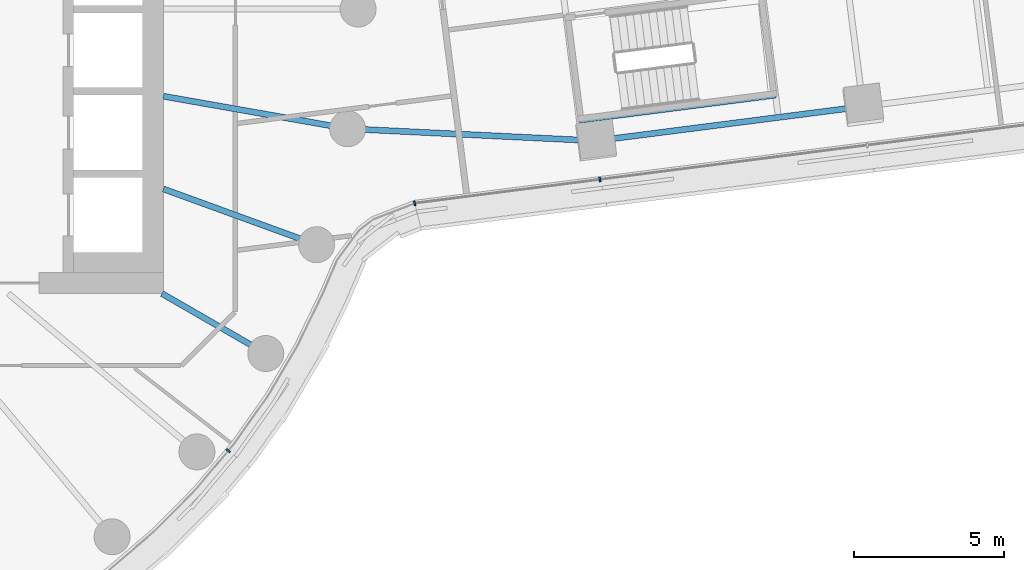
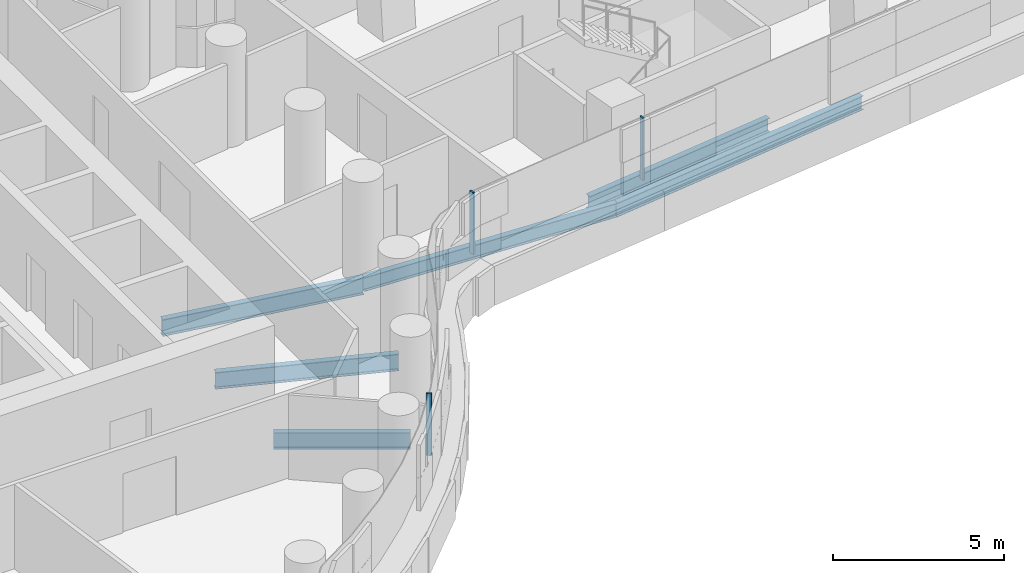
# One storey, part 9 of 31: 6 beams, 3 members, 2 elements without a shape of their own.
"""IFC4 building model written with IfcOpenShell, lengths in metres."""

from ifc_helpers import new_model, si_unit, direction, frame, origin, origin_2d, place, context, subcontext, project, spatial, rectangle, i_section, extrude, material, layer, layer_set, material_profile, profile_set, type_object, element, aggregate, save


model = new_model("IFC4")

# Units and contexts
model_context = context("Model", 3, precision=1e-05, world=origin(), true_north=direction((0.0, 1.0)))
body_context = subcontext(model_context, "Body", "Model", "MODEL_VIEW")
ifc_project = project(units=[si_unit("LENGTHUNIT", "METRE"), si_unit("AREAUNIT", "SQUARE_METRE"), si_unit("VOLUMEUNIT", "CUBIC_METRE"), si_unit("PLANEANGLEUNIT", "RADIAN"), si_unit("MASSUNIT", "GRAM", prefix="KILO")], contexts=[model_context])

# Site, building, storey
site_placement = place(None, origin())
site = spatial("IfcSite", under=ifc_project, at=site_placement, CompositionType="ELEMENT")
building_placement = place(site_placement, origin())
building = spatial("IfcBuilding", under=site, at=building_placement, Name="Tamarind Cross Interchange Tower", CompositionType="ELEMENT")
storey_placement = place(building_placement, frame((0.0, 0.0, 60.25)))
storey = spatial("IfcBuildingStorey", under=building, at=storey_placement, Name="L13", CompositionType="ELEMENT", Elevation=60.25)

# Beams
ifc_material_1 = material(Name="Steel Q355B", Category="steel")
ifc_material_profile_1 = material_profile(ifc_material_1, i_section(OverallWidth=0.198974609375, OverallDepth=0.49609375, WebThickness=0.009033203125, FlangeThickness=0.013916015625, FilletRadius=0.012939453125, at=origin_2d()), Name="HN 496x199x9x14")
ifc_profile_set_1 = profile_set([ifc_material_profile_1], Name="Steel Q355B")
beam_type_1 = type_object("IfcBeamType", Name="Composite beam HN 496x199x9x14 Q355B", PredefinedType="BEAM", material=ifc_profile_set_1)
beam_1_placement = place(storey_placement, frame((39.859375, -3.2529296875, -0.387939453125), z_axis=(-0.991863494018, -0.127305967001, 0.0), x_axis=(0.127305967001, -0.991863494018, 0.0)))
element("IfcBeam", 1, at=beam_1_placement, inside=storey, type_object=beam_type_1, Name="Beam E-edgeem6", PredefinedType="BEAM", context=body_context, shape_type="SweptSolid", body=[
    extrude(i_section(OverallWidth=0.198974609375, OverallDepth=0.49609375, WebThickness=0.009033203125, FlangeThickness=0.013916015625, FilletRadius=0.012939453125, at=origin_2d()), origin(), (0.0, 0.0, 1.0), 9.0),
])
beam_2_placement = place(storey_placement, frame((30.9326171875, -4.398681640625, -0.387939453125), z_axis=(-0.998807733561, 0.048817121783, 0.0), x_axis=(-0.048817121783, -0.998807733561, 0.0)))
element("IfcBeam", 2, at=beam_2_placement, inside=storey, type_object=beam_type_1, Name="Beam E-linkem", PredefinedType="BEAM", context=body_context, shape_type="SweptSolid", body=[
    extrude(i_section(OverallWidth=0.198974609375, OverallDepth=0.49609375, WebThickness=0.009033203125, FlangeThickness=0.013916015625, FilletRadius=0.012939453125, at=origin_2d()), origin(), (0.0, 0.0, 1.0), 8.291748046875),
])
beam_3_placement = place(storey_placement, frame((30.390869140625, -3.712158203125, -0.387939453125), z_axis=(0.991860954329, 0.127325752613, 0.0), x_axis=(-0.127325752613, 0.991860954329, 0.0)))
element("IfcBeam", 3, at=beam_3_placement, inside=storey, type_object=beam_type_1, Name="Beam E-tr0", PredefinedType="BEAM", context=body_context, shape_type="SweptSolid", body=[
    extrude(i_section(OverallWidth=0.198974609375, OverallDepth=0.49609375, WebThickness=0.009033203125, FlangeThickness=0.013916015625, FilletRadius=0.012939453125, at=origin_2d()), origin(), (0.0, 0.0, 1.0), 6.599853515625),
])
ifc_material_profile_2 = material_profile(ifc_material_1, i_section(OverallWidth=0.198974609375, OverallDepth=0.595947265625, WebThickness=0.010009765625, FlangeThickness=0.014892578125, FilletRadius=0.012939453125, at=origin_2d()), Name="HN 596x199x10x15")
ifc_profile_set_2 = profile_set([ifc_material_profile_2], Name="Steel Q355B")
beam_type_2 = type_object("IfcBeamType", Name="Composite beam HN 596x199x10x15 Q355B", PredefinedType="BEAM", material=ifc_profile_set_2)
beam_4_placement = place(storey_placement, frame((19.918701171875, -11.5, -0.43798828125), z_axis=(-0.866026010844, 0.49999894854, 0.0), x_axis=(-0.49999894854, -0.866026010844, 0.0)))
element("IfcBeam", 4, at=beam_4_placement, inside=storey, type_object=beam_type_2, Name="Beam HH33", PredefinedType="BEAM", context=body_context, shape_type="SweptSolid", body=[
    extrude(i_section(OverallWidth=0.198974609375, OverallDepth=0.595947265625, WebThickness=0.010009765625, FlangeThickness=0.014892578125, FilletRadius=0.012939453125, at=origin_2d()), origin(), (0.0, 0.0, 1.0), 4.0),
])
beam_5_placement = place(storey_placement, frame((21.613037109375, -7.866455078125, -0.43798828125), z_axis=(-0.939701685589, 0.341995236956, 0.0), x_axis=(-0.341995236956, -0.939701685589, 0.0)))
element("IfcBeam", 5, at=beam_5_placement, inside=storey, type_object=beam_type_2, Name="Beam HH34", PredefinedType="BEAM", context=body_context, shape_type="SweptSolid", body=[
    extrude(i_section(OverallWidth=0.198974609375, OverallDepth=0.595947265625, WebThickness=0.010009765625, FlangeThickness=0.014892578125, FilletRadius=0.012939453125, at=origin_2d()), origin(), (0.0, 0.0, 1.0), 5.441162109375),
])
beam_6_placement = place(storey_placement, frame((22.650634765625, -3.993896484375, -0.43798828125), z_axis=(-0.984809127561, 0.173640382036, 0.0), x_axis=(-0.173640382036, -0.984809127561, 0.0)))
element("IfcBeam", 6, at=beam_6_placement, inside=storey, type_object=beam_type_2, Name="Beam HH35", PredefinedType="BEAM", context=body_context, shape_type="SweptSolid", body=[
    extrude(i_section(OverallWidth=0.198974609375, OverallDepth=0.595947265625, WebThickness=0.010009765625, FlangeThickness=0.014892578125, FilletRadius=0.012939453125, at=origin_2d()), origin(), (0.0, 0.0, 1.0), 6.24560546875),
])

# Curtain wall, member
ifc_material_2 = material(Name="Aluminium 6063-T6", Category="aluminium")
ifc_layer = layer(ifc_material_2, 0.159912109375)
ifc_layer_set = layer_set([ifc_layer], Name="Aluminium 6063-T6")
curtain_wall_type = type_object("IfcCurtainWallType", Name="Office curtain wall, 9.0 m bays", PredefinedType="NOTDEFINED", material=ifc_layer_set)
curtain_wall_1_placement = place(storey_placement, origin())
curtain_wall_1 = element("IfcCurtainWall", 7, at=curtain_wall_1_placement, inside=storey, type_object=curtain_wall_type, Name="CWS-L13-06", PredefinedType="NOTDEFINED")
ifc_material_profile_3 = material_profile(ifc_material_2, rectangle(XDim=0.06005859375, YDim=0.159912109375, at=origin_2d()), Name="Mullion CW1")
ifc_profile_set_3 = profile_set([ifc_material_profile_3], Name="Aluminium 6063-T6")
member_type = type_object("IfcMemberType", Name="Mullion CW1", PredefinedType="MULLION", material=ifc_profile_set_3)
member_1_placement = place(storey_placement, frame((18.66552734375, -14.74365234375, 1.39990234375), z_axis=(0.0, 0.0, 1.0), x_axis=(0.643009266048, 0.765858396687, 0.0)))
member_1 = element("IfcMember", 8, at=member_1_placement, type_object=member_type, Name="CWM-L13-06-02", PredefinedType="MULLION", context=body_context, shape_type="SweptSolid", body=[
    extrude(rectangle(XDim=0.06005859375, YDim=0.159912109375, at=origin_2d()), origin(), (0.0, 0.0, 1.0), 2.210205078125),
])
aggregate(curtain_wall_1, [member_1])

# Curtain wall, members
curtain_wall_2_placement = place(storey_placement, origin())
curtain_wall_2 = element("IfcCurtainWall", 9, at=curtain_wall_2_placement, inside=storey, type_object=curtain_wall_type, Name="CWS-L13-07", PredefinedType="NOTDEFINED")
member_2_placement = place(storey_placement, frame((24.8876953125, -6.485107421875, 1.39990234375), z_axis=(0.0, 0.0, 1.0), x_axis=(0.969089518865, 0.246709352126, 0.0)))
member_2 = element("IfcMember", 10, at=member_2_placement, type_object=member_type, Name="CWM-L13-07-00", PredefinedType="MULLION", context=body_context, shape_type="SweptSolid", body=[
    extrude(rectangle(XDim=0.06005859375, YDim=0.159912109375, at=origin_2d()), origin(), (0.0, 0.0, 1.0), 2.210205078125),
])
member_3_placement = place(storey_placement, frame((31.0732421875, -5.691162109375, 1.39990234375), z_axis=(0.0, 0.0, 1.0), x_axis=(0.991864253985, 0.127300045824, 0.0)))
member_3 = element("IfcMember", 11, at=member_3_placement, type_object=member_type, Name="CWM-L13-07-01", PredefinedType="MULLION", context=body_context, shape_type="SweptSolid", body=[
    extrude(rectangle(XDim=0.06005859375, YDim=0.159912109375, at=origin_2d()), origin(), (0.0, 0.0, 1.0), 2.210205078125),
])
aggregate(curtain_wall_2, [member_2, member_3])

save(model, "model.ifc")
